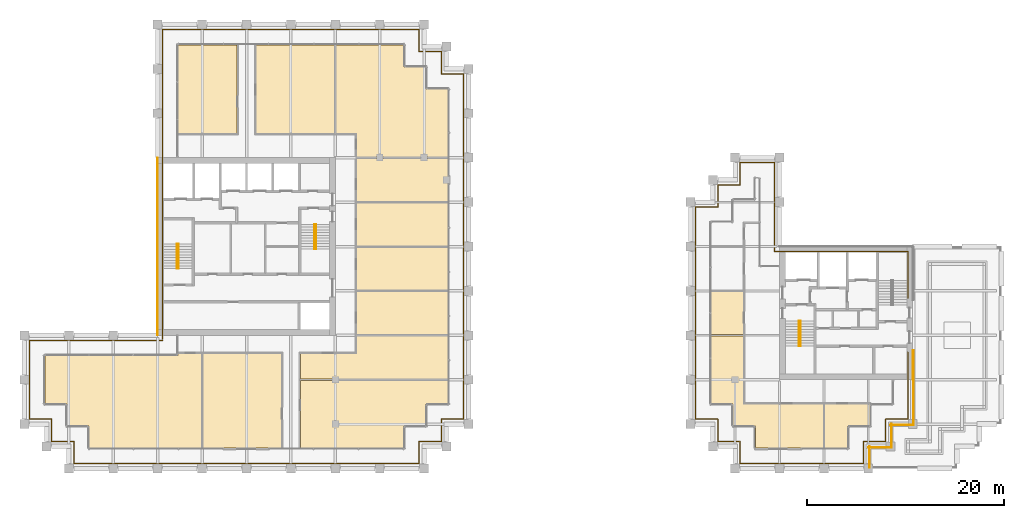
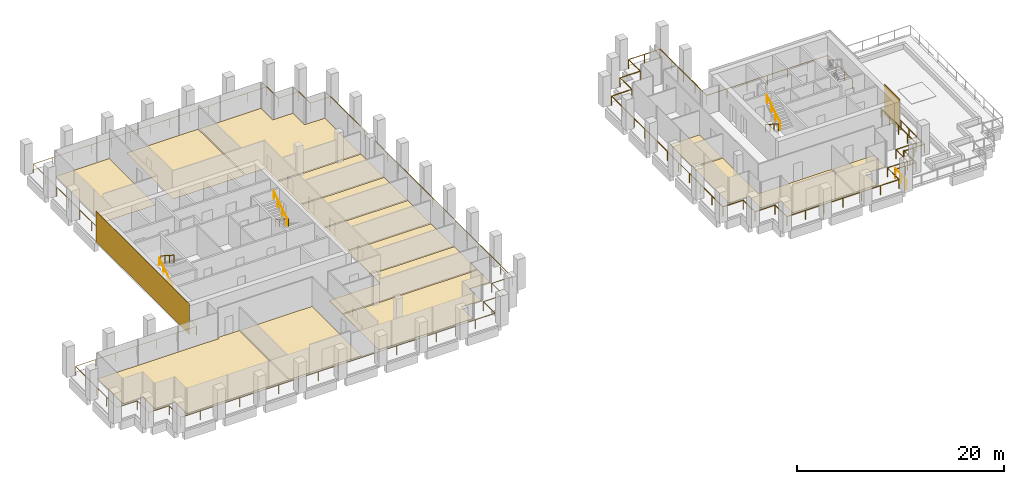
# One storey, part 43 of 44: 16 coverings, 11 railings.
"""IFC4 building model written with IfcOpenShell, lengths in metres."""

from ifc_helpers import new_model, si_unit, direction, frame, origin, origin_2d, place, context, subcontext, project, spatial, polyline, rectangle, circle, outline, extrude, source, transform, mapped, material, layer, layer_set, type_object, element, save


model = new_model("IFC4")

# Units and contexts
model_context = context("Model", 3, precision=1e-05, world=origin(), true_north=direction((0.0, 1.0)))
body_context = subcontext(model_context, "Body", "Model", "MODEL_VIEW")
ifc_project = project(units=[si_unit("LENGTHUNIT", "METRE"), si_unit("AREAUNIT", "SQUARE_METRE"), si_unit("VOLUMEUNIT", "CUBIC_METRE"), si_unit("PLANEANGLEUNIT", "RADIAN"), si_unit("MASSUNIT", "GRAM", prefix="KILO")], contexts=[model_context])

# Site, building, storey
site_placement = place(None, origin())
site = spatial("IfcSite", under=ifc_project, at=site_placement, CompositionType="ELEMENT")
building_placement = place(site_placement, origin())
building = spatial("IfcBuilding", under=site, at=building_placement, Name="Altepetl Exchange Towers", CompositionType="ELEMENT")
storey_placement = place(building_placement, frame((0.0, 0.0, 143.800048828125)))
storey = spatial("IfcBuildingStorey", under=building, at=storey_placement, Name="L35", CompositionType="ELEMENT", Elevation=143.800048828125)

# Coverings
ifc_material_1 = material(Name="Carpet tile")
ifc_layer_1 = layer(ifc_material_1, 0.02001953125)
ifc_layer_set_1 = layer_set([ifc_layer_1], Name="Carpet tile")
covering_type_1 = type_object("IfcCoveringType", Name="Carpet tile floor", PredefinedType="FLOORING", material=ifc_layer_set_1)
covering_1_placement = place(storey_placement, origin())
element("IfcCovering", 1, at=covering_1_placement, inside=storey, type_object=covering_type_1, Name="Fund office floor finish A35.01", PredefinedType="FLOORING", context=body_context, shape_type="SweptSolid", body=[
    extrude(outline(polyline([(31.3125, 31.3125), (33.5625, 31.3125), (33.5625, 29.0625), (44.9375, 29.0625), (44.9375, 38.637451171875), (42.5625, 38.637451171875), (42.5625, 38.4375), (29.0625, 38.4375), (29.0625, 33.5625), (31.3125, 33.5625), (31.3125, 31.3125)])), origin(), (0.0, 0.0, 1.0), 0.02001953125),
])
covering_2_placement = place(storey_placement, origin())
element("IfcCovering", 2, at=covering_2_placement, inside=storey, type_object=covering_type_1, Name="Fund office floor finish A35.02", PredefinedType="FLOORING", context=body_context, shape_type="SweptSolid", body=[
    extrude(outline(polyline([(45.0625, 38.637451171875), (45.0625, 29.0625), (53.03759765625, 29.0625), (53.03759765625, 38.637451171875), (45.0625, 38.637451171875)])), origin(), (0.0, 0.0, 1.0), 0.02001953125),
])
covering_3_placement = place(storey_placement, origin())
element("IfcCovering", 3, at=covering_3_placement, inside=storey, type_object=covering_type_1, Name="Meeting room floor finish A35.05", PredefinedType="FLOORING", context=body_context, shape_type="SweptSolid", body=[
    extrude(outline(polyline([(69.9375, 44.9375), (60.66259765625, 44.9375), (60.66259765625, 40.5625), (69.9375, 40.5625), (69.9375, 44.9375)])), origin(), (0.0, 0.0, 1.0), 0.02001953125),
])
covering_4_placement = place(storey_placement, origin())
element("IfcCovering", 4, at=covering_4_placement, inside=storey, type_object=covering_type_1, Name="Conference room floor finish A35.06", PredefinedType="FLOORING", context=body_context, shape_type="SweptSolid", body=[
    extrude(outline(polyline([(69.9375, 49.4375), (60.66259765625, 49.4375), (60.66259765625, 45.0625), (69.9375, 45.0625), (69.9375, 49.4375)])), origin(), (0.0, 0.0, 1.0), 0.02001953125),
])
covering_5_placement = place(storey_placement, origin())
element("IfcCovering", 5, at=covering_5_placement, inside=storey, type_object=covering_type_1, Name="Meeting room floor finish A35.07", PredefinedType="FLOORING", context=body_context, shape_type="SweptSolid", body=[
    extrude(outline(polyline([(69.9375, 53.9375), (60.66259765625, 53.9375), (60.66259765625, 49.5625), (69.9375, 49.5625), (69.9375, 53.9375)])), origin(), (0.0, 0.0, 1.0), 0.02001953125),
])
covering_6_placement = place(storey_placement, origin())
element("IfcCovering", 6, at=covering_6_placement, inside=storey, type_object=covering_type_1, Name="Conference room floor finish A35.08", PredefinedType="FLOORING", context=body_context, shape_type="SweptSolid", body=[
    extrude(outline(polyline([(69.9375, 54.0625), (69.9375, 58.4375), (60.66259765625, 58.4375), (60.66259765625, 54.0625), (69.9375, 54.0625)])), origin(), (0.0, 0.0, 1.0), 0.02001953125),
])
covering_7_placement = place(storey_placement, origin())
element("IfcCovering", 7, at=covering_7_placement, inside=storey, type_object=covering_type_1, Name="Open office floor finish A35.09", PredefinedType="FLOORING", context=body_context, shape_type="SweptSolid", body=[
    extrude(outline(polyline([(60.66259765625, 58.5625), (69.9375, 58.5625), (69.9375, 65.4375), (67.6875, 65.4375), (67.6875, 67.6875), (65.4375, 67.6875), (65.4375, 69.9375), (58.5625, 69.9375), (58.5625, 60.96240234375), (60.66259765625, 60.96240234375), (60.66259765625, 58.5625)])), origin(), (0.0, 0.0, 1.0), 0.02001953125),
])
covering_8_placement = place(storey_placement, origin())
element("IfcCovering", 8, at=covering_8_placement, inside=storey, type_object=covering_type_1, Name="Open office floor finish A35.10", PredefinedType="FLOORING", context=body_context, shape_type="SweptSolid", body=[
    extrude(outline(polyline([(58.4375, 60.96240234375), (58.4375, 69.9375), (50.46240234375, 69.9375), (50.46240234375, 60.96240234375), (58.4375, 60.96240234375)])), origin(), (0.0, 0.0, 1.0), 0.02001953125),
])
covering_9_placement = place(storey_placement, origin())
element("IfcCovering", 9, at=covering_9_placement, inside=storey, type_object=covering_type_1, Name="Fund office floor finish A35.11", PredefinedType="FLOORING", context=body_context, shape_type="SweptSolid", body=[
    extrude(outline(polyline([(42.5625, 60.96240234375), (48.53759765625, 60.96240234375), (48.53759765625, 69.9375), (42.5625, 69.9375), (42.5625, 60.96240234375)])), origin(), (0.0, 0.0, 1.0), 0.02001953125),
])
covering_10_placement = place(storey_placement, origin())
element("IfcCovering", 10, at=covering_10_placement, inside=storey, type_object=covering_type_1, Name="Family office floor finish B35.01", PredefinedType="FLOORING", context=body_context, shape_type="SweptSolid", body=[
    extrude(outline(polyline([(98.8125, 33.5625), (98.8125, 31.3125), (101.0625, 31.3125), (101.0625, 29.0625), (107.9375, 29.0625), (107.9375, 33.53759765625), (99.83740234375, 33.53759765625), (99.83740234375, 40.4375), (96.5625, 40.4375), (96.5625, 33.5625), (98.8125, 33.5625)])), origin(), (0.0, 0.0, 1.0), 0.02001953125),
])
covering_11_placement = place(storey_placement, origin())
element("IfcCovering", 11, at=covering_11_placement, inside=storey, type_object=covering_type_1, Name="Family office floor finish B35.02", PredefinedType="FLOORING", context=body_context, shape_type="SweptSolid", body=[
    extrude(outline(polyline([(108.0625, 33.53759765625), (108.0625, 29.0625), (110.4375, 29.0625), (110.4375, 31.3125), (112.6875, 31.3125), (112.6875, 33.53759765625), (108.0625, 33.53759765625)])), origin(), (0.0, 0.0, 1.0), 0.02001953125),
])
covering_12_placement = place(storey_placement, origin())
element("IfcCovering", 12, at=covering_12_placement, inside=storey, type_object=covering_type_1, Name="Interview room floor finish B35.05", PredefinedType="FLOORING", context=body_context, shape_type="SweptSolid", body=[
    extrude(outline(polyline([(96.5625, 40.5625), (99.83740234375, 40.5625), (99.83740234375, 44.9375), (96.5625, 44.9375), (96.5625, 40.5625)])), origin(), (0.0, 0.0, 1.0), 0.02001953125),
])
ifc_material_2 = material(Name="Calcium sulphate access floor panel")
ifc_layer_2 = layer(ifc_material_2, 0.0400390625)
ifc_layer_set_2 = layer_set([ifc_layer_2], Name="Calcium sulphate access floor panel")
covering_type_2 = type_object("IfcCoveringType", Name="Raised access floor panels", PredefinedType="FLOORING", material=ifc_layer_set_2)
covering_13_placement = place(storey_placement, origin())
element("IfcCovering", 13, at=covering_13_placement, inside=storey, type_object=covering_type_2, Name="Broker office floor finish A35.03", PredefinedType="FLOORING", context=body_context, shape_type="SweptSolid", body=[
    extrude(outline(polyline([(69.9375, 35.9375), (54.96240234375, 35.9375), (54.96240234375, 29.0625), (65.4375, 29.0625), (65.4375, 31.3125), (67.6875, 31.3125), (67.6875, 33.5625), (69.9375, 33.5625), (69.9375, 35.9375)])), origin(), (0.0, 0.0, 1.0), 0.0400390625),
])
covering_14_placement = place(storey_placement, origin())
element("IfcCovering", 14, at=covering_14_placement, inside=storey, type_object=covering_type_2, Name="Broker office floor finish A35.04", PredefinedType="FLOORING", context=body_context, shape_type="SweptSolid", body=[
    extrude(outline(polyline([(69.9375, 40.4375), (60.66259765625, 40.4375), (60.66259765625, 38.637451171875), (54.96240234375, 38.637451171875), (54.96240234375, 36.0625), (69.9375, 36.0625), (69.9375, 40.4375)])), origin(), (0.0, 0.0, 1.0), 0.0400390625),
])
ifc_material_3 = material(Name="Cantera limestone cladding", Category="masonry")
ifc_layer_3 = layer(ifc_material_3, 0.0400390625)
ifc_layer_set_3 = layer_set([ifc_layer_3], Name="Cantera limestone cladding")
covering_type_3 = type_object("IfcCoveringType", Name="Stone panel 40 cantera", PredefinedType="CLADDING", material=ifc_layer_set_3)
covering_15_placement = place(storey_placement, frame((40.47998046875, 49.5, 0.0), z_axis=(0.0, 0.0, 1.0), x_axis=(0.0, -1.0, 0.0)))
element("IfcCovering", 15, at=covering_15_placement, inside=storey, type_object=covering_type_3, Name="Stone cladding panel", PredefinedType="CLADDING", context=body_context, shape_type="SweptSolid", body=[
    extrude(rectangle(XDim=18.0, YDim=0.0400390625, at=origin_2d()), origin(), (0.0, 0.0, 1.0), 3.60009765625),
])
covering_16_placement = place(storey_placement, frame((117.02001953125, 37.5, 0.0), z_axis=(0.0, 0.0, 1.0), x_axis=(0.0, 1.0, 0.0)))
element("IfcCovering", 16, at=covering_16_placement, inside=storey, type_object=covering_type_3, Name="Stone cladding panel", PredefinedType="CLADDING", context=body_context, shape_type="SweptSolid", body=[
    extrude(rectangle(XDim=3.0, YDim=0.0400390625, at=origin_2d()), origin(), (0.0, 0.0, 1.0), 3.60009765625),
])

# Railings
ifc_material_4 = material(Name="Steel S355", Category="steel")
railing_type_1 = type_object("IfcRailingType", Name="Guard 1100 steel posts and rail", PredefinedType="GUARDRAIL", material=ifc_material_4)
shared_shape_1 = source(origin(), body_context, "Body", "SweptSolid", [
    extrude(circle(Radius=0.02099609375, at=origin_2d()), origin(), (0.0, 0.0, 1.0), 1.052001953125),
])
railing_1_placement = place(storey_placement, frame((41.0, 40.0, 0.0)))
element("IfcRailing", 17, at=railing_1_placement, inside=storey, type_object=railing_type_1, Name="Loggia guard", PredefinedType="GUARDRAIL", context=body_context, shape_type="SweptSolid", body=[
    extrude(circle(Radius=0.02392578125, at=origin_2d()), frame((0.0, 0.0, 1.076171875), z_axis=(-1.0, 0.0, 0.0), x_axis=(0.0, -1.0, 0.0)), (0.0, 0.0, 1.0), 13.5),
    extrude(circle(Radius=0.02392578125, at=origin_2d()), frame((-13.5, 0.0, 1.076171875), z_axis=(0.0, -1.0, 0.0), x_axis=(1.0, 0.0, 0.0)), (0.0, 0.0, 1.0), 8.0),
    extrude(circle(Radius=0.02392578125, at=origin_2d()), frame((-13.5, -8.0, 1.076171875), z_axis=(1.0, 0.0, 0.0), x_axis=(0.0, 1.0, 0.0)), (0.0, 0.0, 1.0), 2.25),
    extrude(circle(Radius=0.02392578125, at=origin_2d()), frame((-11.25, -8.0, 1.076171875), z_axis=(0.0, -1.0, 0.0), x_axis=(1.0, 0.0, 0.0)), (0.0, 0.0, 1.0), 2.25),
    extrude(circle(Radius=0.02392578125, at=origin_2d()), frame((-11.25, -10.25, 1.076171875), z_axis=(1.0, 0.0, 0.0), x_axis=(0.0, 1.0, 0.0)), (0.0, 0.0, 1.0), 2.25),
    extrude(circle(Radius=0.02392578125, at=origin_2d()), frame((-9.0, -10.25, 1.076171875), z_axis=(0.0, -1.0, 0.0), x_axis=(1.0, 0.0, 0.0)), (0.0, 0.0, 1.0), 2.25),
    extrude(circle(Radius=0.02392578125, at=origin_2d()), frame((-9.0, -12.5, 1.076171875), z_axis=(1.0, 0.0, 0.0), x_axis=(0.0, 1.0, 0.0)), (0.0, 0.0, 1.0), 35.0),
    extrude(circle(Radius=0.02392578125, at=origin_2d()), frame((26.0, -12.5, 1.076171875), z_axis=(0.0, 1.0, 0.0), x_axis=(-1.0, 0.0, 0.0)), (0.0, 0.0, 1.0), 2.25),
    extrude(circle(Radius=0.02392578125, at=origin_2d()), frame((26.0, -10.25, 1.076171875), z_axis=(1.0, 0.0, 0.0), x_axis=(0.0, 1.0, 0.0)), (0.0, 0.0, 1.0), 2.25),
    extrude(circle(Radius=0.02392578125, at=origin_2d()), frame((28.25, -10.25, 1.076171875), z_axis=(0.0, 1.0, 0.0), x_axis=(-1.0, 0.0, 0.0)), (0.0, 0.0, 1.0), 2.25),
    extrude(circle(Radius=0.02392578125, at=origin_2d()), frame((28.25, -8.0, 1.076171875), z_axis=(1.0, 0.0, 0.0), x_axis=(0.0, 1.0, 0.0)), (0.0, 0.0, 1.0), 2.25),
    extrude(circle(Radius=0.02392578125, at=origin_2d()), frame((30.5, -8.0, 1.076171875), z_axis=(0.0, 1.0, 0.0), x_axis=(-1.0, 0.0, 0.0)), (0.0, 0.0, 1.0), 35.0),
    extrude(circle(Radius=0.02392578125, at=origin_2d()), frame((30.5, 27.0, 1.076171875), z_axis=(-1.0, 0.0, 0.0), x_axis=(0.0, -1.0, 0.0)), (0.0, 0.0, 1.0), 2.25),
    extrude(circle(Radius=0.02392578125, at=origin_2d()), frame((28.25, 27.0, 1.076171875), z_axis=(0.0, 1.0, 0.0), x_axis=(-1.0, 0.0, 0.0)), (0.0, 0.0, 1.0), 2.25),
    extrude(circle(Radius=0.02392578125, at=origin_2d()), frame((28.25, 29.25, 1.076171875), z_axis=(-1.0, 0.0, 0.0), x_axis=(0.0, -1.0, 0.0)), (0.0, 0.0, 1.0), 2.25),
    extrude(circle(Radius=0.02392578125, at=origin_2d()), frame((26.0, 29.25, 1.076171875), z_axis=(0.0, 1.0, 0.0), x_axis=(-1.0, 0.0, 0.0)), (0.0, 0.0, 1.0), 2.25),
    extrude(circle(Radius=0.02392578125, at=origin_2d()), frame((26.0, 31.5, 1.076171875), z_axis=(-1.0, 0.0, 0.0), x_axis=(0.0, -1.0, 0.0)), (0.0, 0.0, 1.0), 26.0),
    extrude(circle(Radius=0.02392578125, at=origin_2d()), frame((0.0, 31.5, 1.076171875), z_axis=(0.0, -1.0, 0.0), x_axis=(1.0, 0.0, 0.0)), (0.0, 0.0, 1.0), 31.39990234375),
    mapped(shared_shape_1, transform((0.0, 0.0, 0.0))),
    mapped(shared_shape_1, transform((-2.25, 0.0, 0.0))),
    mapped(shared_shape_1, transform((-4.5, 0.0, 0.0))),
    mapped(shared_shape_1, transform((-6.75, 0.0, 0.0))),
    mapped(shared_shape_1, transform((-9.0, 0.0, 0.0))),
    mapped(shared_shape_1, transform((-11.25, 0.0, 0.0))),
    mapped(shared_shape_1, transform((-13.5, 0.0, 0.0))),
    mapped(shared_shape_1, transform((-13.5, -2.0, 0.0))),
    mapped(shared_shape_1, transform((-13.5, -4.0, 0.0))),
    mapped(shared_shape_1, transform((-13.5, -6.0, 0.0))),
    mapped(shared_shape_1, transform((-13.5, -8.0, 0.0))),
    mapped(shared_shape_1, transform((-11.25, -8.0, 0.0))),
    mapped(shared_shape_1, transform((-11.25, -10.25, 0.0))),
    mapped(shared_shape_1, transform((-9.0, -10.25, 0.0))),
    mapped(shared_shape_1, transform((-9.0, -12.5, 0.0))),
    mapped(shared_shape_1, transform((-6.8125, -12.5, 0.0))),
    mapped(shared_shape_1, transform((-4.625, -12.5, 0.0))),
    mapped(shared_shape_1, transform((-2.4375, -12.5, 0.0))),
    mapped(shared_shape_1, transform((-0.25, -12.5, 0.0))),
    mapped(shared_shape_1, transform((1.9375, -12.5, 0.0))),
    mapped(shared_shape_1, transform((4.125, -12.5, 0.0))),
    mapped(shared_shape_1, transform((6.3125, -12.5, 0.0))),
    mapped(shared_shape_1, transform((8.5, -12.5, 0.0))),
    mapped(shared_shape_1, transform((10.6875, -12.5, 0.0))),
    mapped(shared_shape_1, transform((12.875, -12.5, 0.0))),
    mapped(shared_shape_1, transform((15.0625, -12.5, 0.0))),
    mapped(shared_shape_1, transform((17.25, -12.5, 0.0))),
    mapped(shared_shape_1, transform((19.4375, -12.5, 0.0))),
    mapped(shared_shape_1, transform((21.625, -12.5, 0.0))),
    mapped(shared_shape_1, transform((23.8125, -12.5, 0.0))),
    mapped(shared_shape_1, transform((26.0, -12.5, 0.0))),
    mapped(shared_shape_1, transform((26.0, -10.25, 0.0))),
    mapped(shared_shape_1, transform((28.25, -10.25, 0.0))),
    mapped(shared_shape_1, transform((28.25, -8.0, 0.0))),
    mapped(shared_shape_1, transform((30.5, -8.0, 0.0))),
    mapped(shared_shape_1, transform((30.5, -5.8125, 0.0))),
    mapped(shared_shape_1, transform((30.5, -3.625, 0.0))),
    mapped(shared_shape_1, transform((30.5, -1.4375, 0.0))),
    mapped(shared_shape_1, transform((30.5, 0.75, 0.0))),
    mapped(shared_shape_1, transform((30.5, 2.9375, 0.0))),
    mapped(shared_shape_1, transform((30.5, 5.125, 0.0))),
    mapped(shared_shape_1, transform((30.5, 7.3125, 0.0))),
    mapped(shared_shape_1, transform((30.5, 9.5, 0.0))),
    mapped(shared_shape_1, transform((30.5, 11.6875, 0.0))),
    mapped(shared_shape_1, transform((30.5, 13.875, 0.0))),
    mapped(shared_shape_1, transform((30.5, 16.0625, 0.0))),
    mapped(shared_shape_1, transform((30.5, 18.25, 0.0))),
    mapped(shared_shape_1, transform((30.5, 20.4375, 0.0))),
    mapped(shared_shape_1, transform((30.5, 22.625, 0.0))),
    mapped(shared_shape_1, transform((30.5, 24.8125, 0.0))),
    mapped(shared_shape_1, transform((30.5, 27.0, 0.0))),
    mapped(shared_shape_1, transform((28.25, 27.0, 0.0))),
    mapped(shared_shape_1, transform((28.25, 29.25, 0.0))),
    mapped(shared_shape_1, transform((26.0, 29.25, 0.0))),
    mapped(shared_shape_1, transform((26.0, 31.5, 0.0))),
    mapped(shared_shape_1, transform((23.833251953125, 31.5, 0.0))),
    mapped(shared_shape_1, transform((21.666748046875, 31.5, 0.0))),
    mapped(shared_shape_1, transform((19.5, 31.5, 0.0))),
    mapped(shared_shape_1, transform((17.333251953125, 31.5, 0.0))),
    mapped(shared_shape_1, transform((15.166748046875, 31.5, 0.0))),
    mapped(shared_shape_1, transform((13.0, 31.5, 0.0))),
    mapped(shared_shape_1, transform((10.833251953125, 31.5, 0.0))),
    mapped(shared_shape_1, transform((8.666748046875, 31.5, 0.0))),
    mapped(shared_shape_1, transform((6.5, 31.5, 0.0))),
    mapped(shared_shape_1, transform((4.333251953125, 31.5, 0.0))),
    mapped(shared_shape_1, transform((2.166748046875, 31.5, 0.0))),
    mapped(shared_shape_1, transform((0.0, 31.5, 0.0))),
    mapped(shared_shape_1, transform((0.0, 29.257080078125, 0.0))),
    mapped(shared_shape_1, transform((0.0, 27.014404296875, 0.0))),
    mapped(shared_shape_1, transform((0.0, 24.771484375, 0.0))),
    mapped(shared_shape_1, transform((0.0, 22.528564453125, 0.0))),
    mapped(shared_shape_1, transform((0.0, 20.28564453125, 0.0))),
    mapped(shared_shape_1, transform((0.0, 18.04296875, 0.0))),
    mapped(shared_shape_1, transform((0.0, 15.800048828125, 0.0))),
    mapped(shared_shape_1, transform((0.0, 13.55712890625, 0.0))),
    mapped(shared_shape_1, transform((0.0, 11.314453125, 0.0))),
    mapped(shared_shape_1, transform((0.0, 9.071533203125, 0.0))),
    mapped(shared_shape_1, transform((0.0, 6.82861328125, 0.0))),
    mapped(shared_shape_1, transform((0.0, 4.585693359375, 0.0))),
    mapped(shared_shape_1, transform((0.0, 2.343017578125, 0.0))),
    mapped(shared_shape_1, transform((0.0, 0.10009765625, 0.0))),
])
railing_2_placement = place(storey_placement, frame((116.5, 44.27001953125, 0.0)))
element("IfcRailing", 18, at=railing_2_placement, inside=storey, type_object=railing_type_1, Name="Loggia guard", PredefinedType="GUARDRAIL", context=body_context, shape_type="SweptSolid", body=[
    extrude(circle(Radius=0.02392578125, at=origin_2d()), frame((0.0, 0.0, 1.076171875), z_axis=(0.0, 1.0, 0.0), x_axis=(-1.0, 0.0, 0.0)), (0.0, 0.0, 1.0), 4.72998046875),
    extrude(circle(Radius=0.02392578125, at=origin_2d()), frame((0.0, 4.72998046875, 1.076171875), z_axis=(-1.0, 0.0, 0.0), x_axis=(0.0, -1.0, 0.0)), (0.0, 0.0, 1.0), 13.5),
    extrude(circle(Radius=0.02392578125, at=origin_2d()), frame((-13.5, 4.72998046875, 1.076171875), z_axis=(0.0, 1.0, 0.0), x_axis=(-1.0, 0.0, 0.0)), (0.0, 0.0, 1.0), 9.0),
    extrude(circle(Radius=0.02392578125, at=origin_2d()), frame((-13.5, 13.72998046875, 1.076171875), z_axis=(-1.0, 0.0, 0.0), x_axis=(0.0, -1.0, 0.0)), (0.0, 0.0, 1.0), 3.5),
    extrude(circle(Radius=0.02392578125, at=origin_2d()), frame((-17.0, 13.72998046875, 1.076171875), z_axis=(0.0, -1.0, 0.0), x_axis=(1.0, 0.0, 0.0)), (0.0, 0.0, 1.0), 2.25),
    extrude(circle(Radius=0.02392578125, at=origin_2d()), frame((-17.0, 11.47998046875, 1.076171875), z_axis=(-1.0, 0.0, 0.0), x_axis=(0.0, -1.0, 0.0)), (0.0, 0.0, 1.0), 2.25),
    extrude(circle(Radius=0.02392578125, at=origin_2d()), frame((-19.25, 11.47998046875, 1.076171875), z_axis=(0.0, -1.0, 0.0), x_axis=(1.0, 0.0, 0.0)), (0.0, 0.0, 1.0), 2.25),
    extrude(circle(Radius=0.02392578125, at=origin_2d()), frame((-19.25, 9.22998046875, 1.076171875), z_axis=(-1.0, 0.0, 0.0), x_axis=(0.0, -1.0, 0.0)), (0.0, 0.0, 1.0), 2.25),
    extrude(circle(Radius=0.02392578125, at=origin_2d()), frame((-21.5, 9.22998046875, 1.076171875), z_axis=(0.0, -1.0, 0.0), x_axis=(1.0, 0.0, 0.0)), (0.0, 0.0, 1.0), 21.5),
    extrude(circle(Radius=0.02392578125, at=origin_2d()), frame((-21.5, -12.27001953125, 1.076171875), z_axis=(1.0, 0.0, 0.0), x_axis=(0.0, 1.0, 0.0)), (0.0, 0.0, 1.0), 2.25),
    extrude(circle(Radius=0.02392578125, at=origin_2d()), frame((-19.25, -12.27001953125, 1.076171875), z_axis=(0.0, -1.0, 0.0), x_axis=(1.0, 0.0, 0.0)), (0.0, 0.0, 1.0), 2.25),
    extrude(circle(Radius=0.02392578125, at=origin_2d()), frame((-19.25, -14.52001953125, 1.076171875), z_axis=(1.0, 0.0, 0.0), x_axis=(0.0, 1.0, 0.0)), (0.0, 0.0, 1.0), 2.25),
    extrude(circle(Radius=0.02392578125, at=origin_2d()), frame((-17.0, -14.52001953125, 1.076171875), z_axis=(0.0, -1.0, 0.0), x_axis=(1.0, 0.0, 0.0)), (0.0, 0.0, 1.0), 2.25),
    extrude(circle(Radius=0.02392578125, at=origin_2d()), frame((-17.0, -16.77001953125, 1.076171875), z_axis=(1.0, 0.0, 0.0), x_axis=(0.0, 1.0, 0.0)), (0.0, 0.0, 1.0), 12.5),
    extrude(circle(Radius=0.02392578125, at=origin_2d()), frame((-4.5, -16.77001953125, 1.076171875), z_axis=(0.0, 1.0, 0.0), x_axis=(-1.0, 0.0, 0.0)), (0.0, 0.0, 1.0), 2.25),
    extrude(circle(Radius=0.02392578125, at=origin_2d()), frame((-4.5, -14.52001953125, 1.076171875), z_axis=(1.0, 0.0, 0.0), x_axis=(0.0, 1.0, 0.0)), (0.0, 0.0, 1.0), 2.25),
    extrude(circle(Radius=0.02392578125, at=origin_2d()), frame((-2.25, -14.52001953125, 1.076171875), z_axis=(0.0, 1.0, 0.0), x_axis=(-1.0, 0.0, 0.0)), (0.0, 0.0, 1.0), 2.25),
    extrude(circle(Radius=0.02392578125, at=origin_2d()), frame((-2.25, -12.27001953125, 1.076171875), z_axis=(1.0, 0.0, 0.0), x_axis=(0.0, 1.0, 0.0)), (0.0, 0.0, 1.0), 2.25),
    extrude(circle(Radius=0.02392578125, at=origin_2d()), frame((0.0, -12.27001953125, 1.076171875), z_axis=(0.0, 1.0, 0.0), x_axis=(-1.0, 0.0, 0.0)), (0.0, 0.0, 1.0), 6.804931640625),
    mapped(shared_shape_1, transform((0.0, 0.0, 0.0))),
    mapped(shared_shape_1, transform((0.0, 1.57666015625, 0.0))),
    mapped(shared_shape_1, transform((0.0, 3.1533203125, 0.0))),
    mapped(shared_shape_1, transform((0.0, 4.72998046875, 0.0))),
    mapped(shared_shape_1, transform((-2.25, 4.72998046875, 0.0))),
    mapped(shared_shape_1, transform((-4.5, 4.72998046875, 0.0))),
    mapped(shared_shape_1, transform((-6.75, 4.72998046875, 0.0))),
    mapped(shared_shape_1, transform((-9.0, 4.72998046875, 0.0))),
    mapped(shared_shape_1, transform((-11.25, 4.72998046875, 0.0))),
    mapped(shared_shape_1, transform((-13.5, 4.72998046875, 0.0))),
    mapped(shared_shape_1, transform((-13.5, 6.97998046875, 0.0))),
    mapped(shared_shape_1, transform((-13.5, 9.22998046875, 0.0))),
    mapped(shared_shape_1, transform((-13.5, 11.47998046875, 0.0))),
    mapped(shared_shape_1, transform((-13.5, 13.72998046875, 0.0))),
    mapped(shared_shape_1, transform((-15.25, 13.72998046875, 0.0))),
    mapped(shared_shape_1, transform((-17.0, 13.72998046875, 0.0))),
    mapped(shared_shape_1, transform((-17.0, 11.47998046875, 0.0))),
    mapped(shared_shape_1, transform((-19.25, 11.47998046875, 0.0))),
    mapped(shared_shape_1, transform((-19.25, 9.22998046875, 0.0))),
    mapped(shared_shape_1, transform((-21.5, 9.22998046875, 0.0))),
    mapped(shared_shape_1, transform((-21.5, 7.080078125, 0.0))),
    mapped(shared_shape_1, transform((-21.5, 4.929931640625, 0.0))),
    mapped(shared_shape_1, transform((-21.5, 2.780029296875, 0.0))),
    mapped(shared_shape_1, transform((-21.5, 0.6298828125, 0.0))),
    mapped(shared_shape_1, transform((-21.5, -1.52001953125, 0.0))),
    mapped(shared_shape_1, transform((-21.5, -3.669921875, 0.0))),
    mapped(shared_shape_1, transform((-21.5, -5.820068359375, 0.0))),
    mapped(shared_shape_1, transform((-21.5, -7.969970703125, 0.0))),
    mapped(shared_shape_1, transform((-21.5, -10.1201171875, 0.0))),
    mapped(shared_shape_1, transform((-21.5, -12.27001953125, 0.0))),
    mapped(shared_shape_1, transform((-19.25, -12.27001953125, 0.0))),
    mapped(shared_shape_1, transform((-19.25, -14.52001953125, 0.0))),
    mapped(shared_shape_1, transform((-17.0, -14.52001953125, 0.0))),
    mapped(shared_shape_1, transform((-17.0, -16.77001953125, 0.0))),
    mapped(shared_shape_1, transform((-14.916748046875, -16.77001953125, 0.0))),
    mapped(shared_shape_1, transform((-12.833251953125, -16.77001953125, 0.0))),
    mapped(shared_shape_1, transform((-10.75, -16.77001953125, 0.0))),
    mapped(shared_shape_1, transform((-8.666748046875, -16.77001953125, 0.0))),
    mapped(shared_shape_1, transform((-6.583251953125, -16.77001953125, 0.0))),
    mapped(shared_shape_1, transform((-4.5, -16.77001953125, 0.0))),
    mapped(shared_shape_1, transform((-4.5, -14.52001953125, 0.0))),
    mapped(shared_shape_1, transform((-2.25, -14.52001953125, 0.0))),
    mapped(shared_shape_1, transform((-2.25, -12.27001953125, 0.0))),
    mapped(shared_shape_1, transform((0.0, -12.27001953125, 0.0))),
    mapped(shared_shape_1, transform((0.0, -10.56884765625, 0.0))),
    mapped(shared_shape_1, transform((0.0, -8.86767578125, 0.0))),
    mapped(shared_shape_1, transform((0.0, -7.166259765625, 0.0))),
    mapped(shared_shape_1, transform((0.0, -5.465087890625, 0.0))),
])
railing_3_placement = place(storey_placement, frame((117.10009765625, 38.973876953125, 0.0)))
element("IfcRailing", 19, at=railing_3_placement, inside=storey, type_object=railing_type_1, Name="Terrace guard", PredefinedType="GUARDRAIL", context=body_context, shape_type="SweptSolid", body=[
    extrude(circle(Radius=0.02392578125, at=origin_2d()), frame((0.0, 0.0, 1.076171875), z_axis=(0.0, -1.0, 0.0), x_axis=(1.0, 0.0, 0.0)), (0.0, 0.0, 1.0), 7.573974609375),
    extrude(circle(Radius=0.02392578125, at=origin_2d()), frame((0.0, -7.573974609375, 1.076171875), z_axis=(-1.0, 0.0, 0.0), x_axis=(0.0, -1.0, 0.0)), (0.0, 0.0, 1.0), 2.35009765625),
    mapped(shared_shape_1, transform((0.0, 0.0, 0.0))),
    mapped(shared_shape_1, transform((0.0, -1.514892578125, 0.0))),
    mapped(shared_shape_1, transform((0.0, -3.029541015625, 0.0))),
    mapped(shared_shape_1, transform((0.0, -4.54443359375, 0.0))),
    mapped(shared_shape_1, transform((0.0, -6.05908203125, 0.0))),
    mapped(shared_shape_1, transform((0.0, -7.573974609375, 0.0))),
    mapped(shared_shape_1, transform((-1.175048828125, -7.573974609375, 0.0))),
    mapped(shared_shape_1, transform((-2.35009765625, -7.573974609375, 0.0))),
])
railing_4_placement = place(storey_placement, frame((114.85009765625, 31.5, 0.0)))
element("IfcRailing", 20, at=railing_4_placement, inside=storey, type_object=railing_type_1, Name="Terrace guard", PredefinedType="GUARDRAIL", context=body_context, shape_type="SweptSolid", body=[
    extrude(circle(Radius=0.02392578125, at=origin_2d()), frame((0.0, 0.0, 1.076171875), z_axis=(0.0, -1.0, 0.0), x_axis=(1.0, 0.0, 0.0)), (0.0, 0.0, 1.0), 2.35009765625),
    extrude(circle(Radius=0.02392578125, at=origin_2d()), frame((0.0, -2.35009765625, 1.076171875), z_axis=(-1.0, 0.0, 0.0), x_axis=(0.0, -1.0, 0.0)), (0.0, 0.0, 1.0), 2.35009765625),
    mapped(shared_shape_1, transform((0.0, 0.0, 0.0))),
    mapped(shared_shape_1, transform((0.0, -1.175048828125, 0.0))),
    mapped(shared_shape_1, transform((0.0, -2.35009765625, 0.0))),
    mapped(shared_shape_1, transform((-1.175048828125, -2.35009765625, 0.0))),
    mapped(shared_shape_1, transform((-2.35009765625, -2.35009765625, 0.0))),
])
railing_5_placement = place(storey_placement, frame((112.60009765625, 29.25, 0.0)))
element("IfcRailing", 21, at=railing_5_placement, inside=storey, type_object=railing_type_1, Name="Terrace guard", PredefinedType="GUARDRAIL", context=body_context, shape_type="SweptSolid", body=[
    extrude(circle(Radius=0.02392578125, at=origin_2d()), frame((0.0, 0.0, 1.076171875), z_axis=(0.0, -1.0, 0.0), x_axis=(1.0, 0.0, 0.0)), (0.0, 0.0, 1.0), 2.14990234375),
    mapped(shared_shape_1, transform((0.0, 0.0, 0.0))),
    mapped(shared_shape_1, transform((0.0, -1.074951171875, 0.0))),
    mapped(shared_shape_1, transform((0.0, -2.14990234375, 0.0))),
])
ifc_material_5 = material(Name="Steel", Category="steel")
railing_type_2 = type_object("IfcRailingType", Name="Stair handrail 50 steel tube", PredefinedType="HANDRAIL", material=ifc_material_5)
shared_shape_2 = source(origin(), body_context, "Body", "SweptSolid", [
    extrude(circle(Radius=0.02099609375, at=origin_2d()), origin(), (0.0, 0.0, 1.0), 0.851806640625),
])
railing_6_placement = place(storey_placement, frame((42.469970703125, 47.25, 0.179931640625)))
element("IfcRailing", 22, at=railing_6_placement, inside=storey, type_object=railing_type_2, Name="Stair handrail", PredefinedType="HANDRAIL", context=body_context, shape_type="SweptSolid", body=[
    extrude(circle(Radius=0.02392578125, at=origin_2d()), frame((0.0, 0.0, 0.8759765625), z_axis=(0.0, 0.841162588446, 0.540782303519), x_axis=(-1.0, 0.0, 0.0)), (0.0, 0.0, 1.0), 2.995849609375),
    mapped(shared_shape_2, transform((0.0, 0.0, 0.0))),
    mapped(shared_shape_2, transform((0.0, 0.840087890625, 0.5400390625))),
    mapped(shared_shape_2, transform((0.0, 1.679931640625, 1.080078125))),
    mapped(shared_shape_2, transform((0.0, 2.52001953125, 1.6201171875))),
])
railing_7_placement = place(storey_placement, frame((42.6298828125, 49.77001953125, 1.97998046875)))
element("IfcRailing", 23, at=railing_7_placement, inside=storey, type_object=railing_type_2, Name="Stair handrail", PredefinedType="HANDRAIL", context=body_context, shape_type="SweptSolid", body=[
    extrude(circle(Radius=0.02392578125, at=origin_2d()), frame((0.0, 0.0, 0.8759765625), z_axis=(0.0, -0.841199657755, 0.540724639528), x_axis=(1.0, 0.0, 0.0)), (0.0, 0.0, 1.0), 2.995849609375),
    mapped(shared_shape_2, transform((0.0, 0.0, 0.0))),
    mapped(shared_shape_2, transform((0.0, -0.840087890625, 0.5400390625))),
    mapped(shared_shape_2, transform((0.0, -1.679931640625, 1.079833984375))),
    mapped(shared_shape_2, transform((0.0, -2.52001953125, 1.619873046875))),
])
railing_8_placement = place(storey_placement, frame((56.530029296875, 51.75, 0.179931640625)))
element("IfcRailing", 24, at=railing_8_placement, inside=storey, type_object=railing_type_2, Name="Stair handrail", PredefinedType="HANDRAIL", context=body_context, shape_type="SweptSolid", body=[
    extrude(circle(Radius=0.02392578125, at=origin_2d()), frame((0.0, 0.0, 0.8759765625), z_axis=(0.0, -0.841162588446, 0.540782303519), x_axis=(1.0, 0.0, 0.0)), (0.0, 0.0, 1.0), 2.995849609375),
    mapped(shared_shape_2, transform((0.0, 0.0, 0.0))),
    mapped(shared_shape_2, transform((0.0, -0.840087890625, 0.5400390625))),
    mapped(shared_shape_2, transform((0.0, -1.679931640625, 1.080078125))),
    mapped(shared_shape_2, transform((0.0, -2.52001953125, 1.6201171875))),
])
railing_9_placement = place(storey_placement, frame((56.3701171875, 49.22998046875, 1.97998046875)))
element("IfcRailing", 25, at=railing_9_placement, inside=storey, type_object=railing_type_2, Name="Stair handrail", PredefinedType="HANDRAIL", context=body_context, shape_type="SweptSolid", body=[
    extrude(circle(Radius=0.02392578125, at=origin_2d()), frame((0.0, 0.0, 0.8759765625), z_axis=(0.0, 0.841199657755, 0.540724639528), x_axis=(-1.0, 0.0, 0.0)), (0.0, 0.0, 1.0), 2.995849609375),
    mapped(shared_shape_2, transform((0.0, 0.0, 0.0))),
    mapped(shared_shape_2, transform((0.0, 0.840087890625, 0.5400390625))),
    mapped(shared_shape_2, transform((0.0, 1.679931640625, 1.079833984375))),
    mapped(shared_shape_2, transform((0.0, 2.52001953125, 1.619873046875))),
])
railing_10_placement = place(storey_placement, frame((105.469970703125, 41.949951171875, 0.179931640625)))
element("IfcRailing", 26, at=railing_10_placement, inside=storey, type_object=railing_type_2, Name="Stair handrail", PredefinedType="HANDRAIL", context=body_context, shape_type="SweptSolid", body=[
    extrude(circle(Radius=0.02392578125, at=origin_2d()), frame((0.0, 0.0, 0.8759765625), z_axis=(0.0, -0.841162588446, 0.540782303519), x_axis=(1.0, 0.0, 0.0)), (0.0, 0.0, 1.0), 2.995849609375),
    mapped(shared_shape_2, transform((0.0, 0.0, 0.0))),
    mapped(shared_shape_2, transform((0.0, -0.840087890625, 0.5400390625))),
    mapped(shared_shape_2, transform((0.0, -1.679931640625, 1.080078125))),
    mapped(shared_shape_2, transform((0.0, -2.52001953125, 1.6201171875))),
])
railing_11_placement = place(storey_placement, frame((105.6298828125, 39.429931640625, 1.97998046875)))
element("IfcRailing", 27, at=railing_11_placement, inside=storey, type_object=railing_type_2, Name="Stair handrail", PredefinedType="HANDRAIL", context=body_context, shape_type="SweptSolid", body=[
    extrude(circle(Radius=0.02392578125, at=origin_2d()), frame((0.0, 0.0, 0.8759765625), z_axis=(0.0, 0.841199657755, 0.540724639528), x_axis=(-1.0, 0.0, 0.0)), (0.0, 0.0, 1.0), 2.995849609375),
    mapped(shared_shape_2, transform((0.0, 0.0, 0.0))),
    mapped(shared_shape_2, transform((0.0, 0.840087890625, 0.5400390625))),
    mapped(shared_shape_2, transform((0.0, 1.679931640625, 1.079833984375))),
    mapped(shared_shape_2, transform((0.0, 2.52001953125, 1.619873046875))),
])

save(model, "model.ifc")
